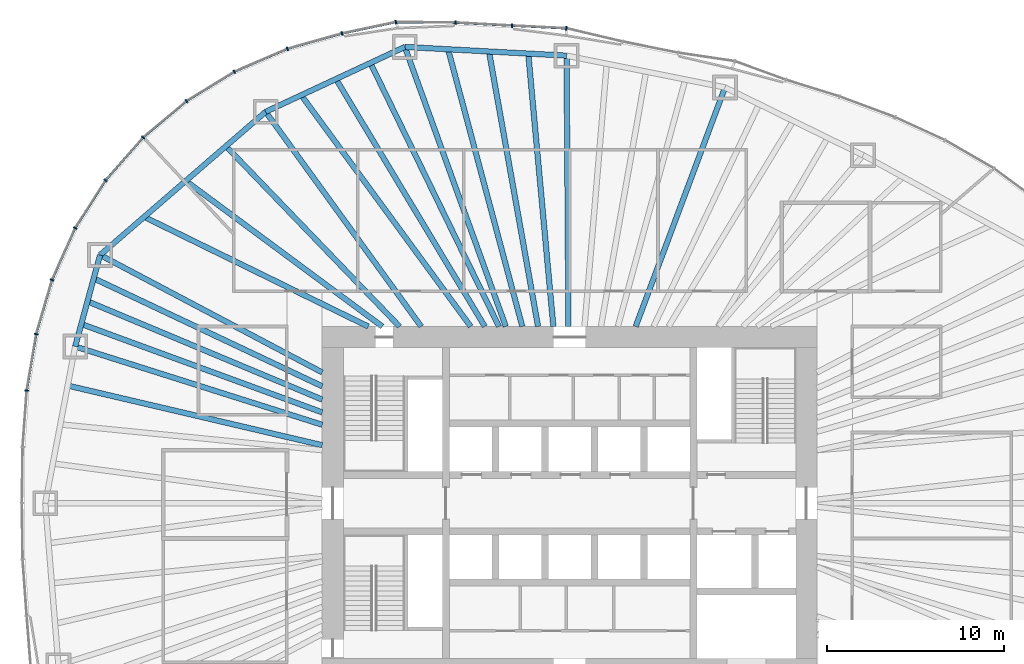
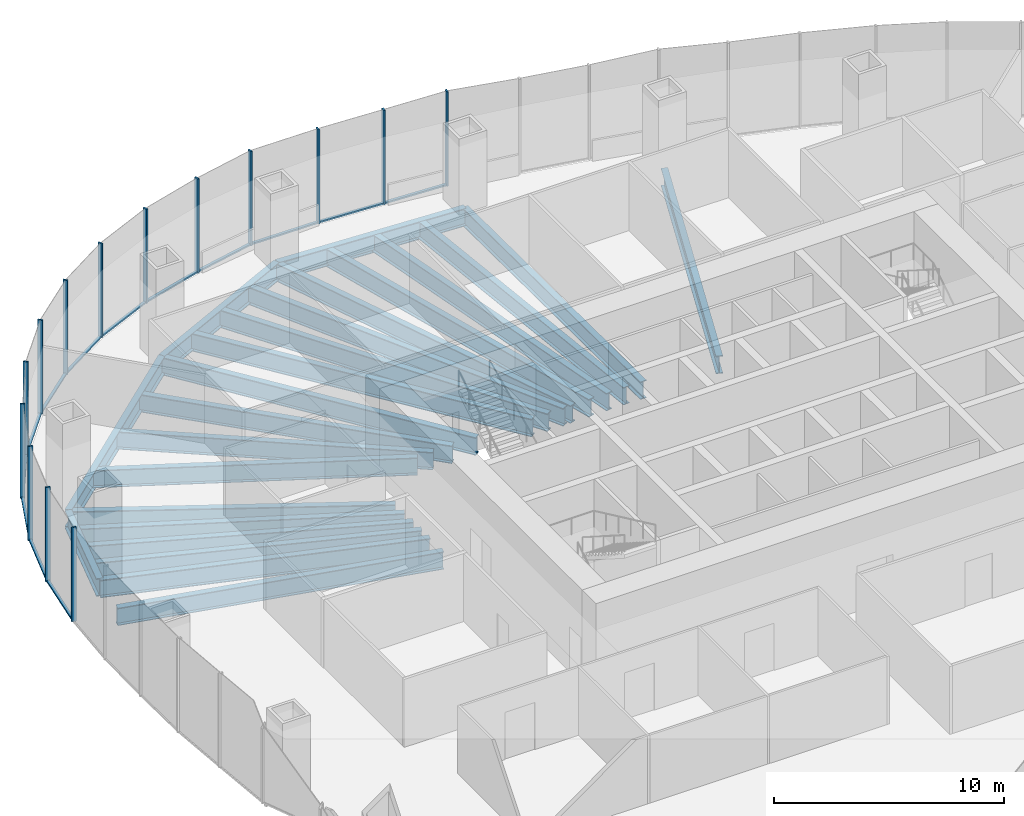
# One storey, part 5 of 18: 27 members, 23 beams, 5 elements without a shape of their own.
"""IFC4 building model written with IfcOpenShell, lengths in metres."""

from ifc_helpers import new_model, si_unit, direction, frame, origin, origin_2d, place, context, subcontext, project, spatial, rectangle, i_section, extrude, material, material_profile, profile_set, type_object, element, aggregate, save


model = new_model("IFC4")

# Units and contexts
model_context = context("Model", 3, precision=1e-05, world=origin(), true_north=direction((0.0, 1.0)))
body_context = subcontext(model_context, "Body", "Model", "MODEL_VIEW")
ifc_project = project(units=[si_unit("LENGTHUNIT", "METRE"), si_unit("AREAUNIT", "SQUARE_METRE"), si_unit("VOLUMEUNIT", "CUBIC_METRE"), si_unit("PLANEANGLEUNIT", "RADIAN"), si_unit("MASSUNIT", "GRAM", prefix="KILO")], contexts=[model_context])

# Site, building, storey
site_placement = place(None, origin())
site = spatial("IfcSite", under=ifc_project, at=site_placement, CompositionType="ELEMENT")
building_placement = place(site_placement, origin())
building = spatial("IfcBuilding", under=site, at=building_placement, Name="Ghaith Harvest Tower", CompositionType="ELEMENT")
storey_placement = place(building_placement, frame((0.0, 0.0, 95.0)))
storey = spatial("IfcBuildingStorey", under=building, at=storey_placement, Name="L19", CompositionType="ELEMENT", Elevation=95.0)

# Curtain wall, members
ifc_material_1 = material(Name="Black anodised aluminium and fritted glass", Category="aluminium")
curtain_wall_type = type_object("IfcCurtainWallType", Name="CW-F CURTAIN WALL", PredefinedType="NOTDEFINED", material=ifc_material_1)
curtain_wall_1_placement = place(storey_placement, origin())
curtain_wall_1 = element("IfcCurtainWall", 1, at=curtain_wall_1_placement, inside=storey, type_object=curtain_wall_type, Name="Curtain wall CW-F bay 06 L19", PredefinedType="NOTDEFINED")
ifc_material_2 = material(Name="Aluminium, black anodised", Category="aluminium")
ifc_material_profile_1 = material_profile(ifc_material_2, rectangle(XDim=0.080078125, YDim=0.219970703125, at=origin_2d()), Name="CW-F MULLION 80x220")
ifc_profile_set_1 = profile_set([ifc_material_profile_1], Name="Aluminium, black anodised")
member_type_1 = type_object("IfcMemberType", Name="CW-F MULLION 80x220", PredefinedType="MULLION", material=ifc_profile_set_1)
member_1_placement = place(storey_placement, frame((-0.183837890625, 26.877197265625, 0.0), z_axis=(0.0, 0.0, 1.0), x_axis=(-0.98971187143, 0.143074845976, 0.0)))
member_1 = element("IfcMember", 2, at=member_1_placement, type_object=member_type_1, Name="CW-F mullion 1 bay 06 L19", PredefinedType="MULLION", context=body_context, shape_type="SweptSolid", body=[
    extrude(rectangle(XDim=0.080078125, YDim=0.219970703125, at=origin_2d()), origin(), (0.0, 0.0, 1.0), 5.0),
])
member_2_placement = place(storey_placement, frame((-3.261962890625, 27.02978515625, 0.0), z_axis=(0.0, 0.0, 1.0), x_axis=(-0.998666923291, 0.051617597049, 0.0)))
member_2 = element("IfcMember", 3, at=member_2_placement, type_object=member_type_1, Name="CW-F mullion 2 bay 06 L19", PredefinedType="MULLION", context=body_context, shape_type="SweptSolid", body=[
    extrude(rectangle(XDim=0.080078125, YDim=0.219970703125, at=origin_2d()), origin(), (0.0, 0.0, 1.0), 5.0),
])
member_3_placement = place(storey_placement, frame((-6.465087890625, 27.20166015625, 0.0), z_axis=(0.0, 0.0, 1.0), x_axis=(-0.999527102163, 0.030750155138, 0.0)))
member_3 = element("IfcMember", 4, at=member_3_placement, type_object=member_type_1, Name="CW-F mullion 3 bay 06 L19", PredefinedType="MULLION", context=body_context, shape_type="SweptSolid", body=[
    extrude(rectangle(XDim=0.080078125, YDim=0.219970703125, at=origin_2d()), origin(), (0.0, 0.0, 1.0), 5.0),
])

curtain_wall_2_placement = place(storey_placement, origin())
curtain_wall_2 = element("IfcCurtainWall", 5, at=curtain_wall_2_placement, inside=storey, type_object=curtain_wall_type, Name="Curtain wall CW-F bay 07 L19", PredefinedType="NOTDEFINED")
member_4_placement = place(storey_placement, frame((-9.835693359375, 27.232177734375, 0.0), z_axis=(0.0, 0.0, 1.0), x_axis=(-0.995408459337, -0.095718332001, 0.0)))
member_4 = element("IfcMember", 6, at=member_4_placement, type_object=member_type_1, Name="CW-F mullion 1 bay 07 L19", PredefinedType="MULLION", context=body_context, shape_type="SweptSolid", body=[
    extrude(rectangle(XDim=0.080078125, YDim=0.219970703125, at=origin_2d()), origin(), (0.0, 0.0, 1.0), 5.0),
])
member_5_placement = place(storey_placement, frame((-12.880615234375, 26.5849609375, 0.0), z_axis=(0.0, 0.0, 1.0), x_axis=(-0.970824511782, -0.239791091, 0.0)))
member_5 = element("IfcMember", 7, at=member_5_placement, type_object=member_type_1, Name="CW-F mullion 2 bay 07 L19", PredefinedType="MULLION", context=body_context, shape_type="SweptSolid", body=[
    extrude(rectangle(XDim=0.080078125, YDim=0.219970703125, at=origin_2d()), origin(), (0.0, 0.0, 1.0), 5.0),
])
member_6_placement = place(storey_placement, frame((-15.97119140625, 25.716552734375, 0.0), z_axis=(0.0, 0.0, 1.0), x_axis=(-0.942293550527, -0.334787790451, 0.0)))
member_6 = element("IfcMember", 8, at=member_6_placement, type_object=member_type_1, Name="CW-F mullion 3 bay 07 L19", PredefinedType="MULLION", context=body_context, shape_type="SweptSolid", body=[
    extrude(rectangle(XDim=0.080078125, YDim=0.219970703125, at=origin_2d()), origin(), (0.0, 0.0, 1.0), 5.0),
])

curtain_wall_3_placement = place(storey_placement, origin())
curtain_wall_3 = element("IfcCurtainWall", 9, at=curtain_wall_3_placement, inside=storey, type_object=curtain_wall_type, Name="Curtain wall CW-F bay 08 L19", PredefinedType="NOTDEFINED")
member_7_placement = place(storey_placement, frame((-18.96728515625, 24.42236328125, 0.0), z_axis=(0.0, 0.0, 1.0), x_axis=(-0.887912253252, -0.460012859086, 0.0)))
member_7 = element("IfcMember", 10, at=member_7_placement, type_object=member_type_1, Name="CW-F mullion 1 bay 08 L19", PredefinedType="MULLION", context=body_context, shape_type="SweptSolid", body=[
    extrude(rectangle(XDim=0.080078125, YDim=0.219970703125, at=origin_2d()), origin(), (0.0, 0.0, 1.0), 5.0),
])
member_8_placement = place(storey_placement, frame((-21.681640625, 22.758056640625, 0.0), z_axis=(0.0, 0.0, 1.0), x_axis=(-0.811400750439, -0.584490224202, 0.0)))
member_8 = element("IfcMember", 11, at=member_8_placement, type_object=member_type_1, Name="CW-F mullion 2 bay 08 L19", PredefinedType="MULLION", context=body_context, shape_type="SweptSolid", body=[
    extrude(rectangle(XDim=0.080078125, YDim=0.219970703125, at=origin_2d()), origin(), (0.0, 0.0, 1.0), 5.0),
])
member_9_placement = place(storey_placement, frame((-24.139404296875, 20.696533203125, 0.0), z_axis=(0.0, 0.0, 1.0), x_axis=(-0.714663248213, -0.699468685256, 0.0)))
member_9 = element("IfcMember", 12, at=member_9_placement, type_object=member_type_1, Name="CW-F mullion 3 bay 08 L19", PredefinedType="MULLION", context=body_context, shape_type="SweptSolid", body=[
    extrude(rectangle(XDim=0.080078125, YDim=0.219970703125, at=origin_2d()), origin(), (0.0, 0.0, 1.0), 5.0),
])

curtain_wall_4_placement = place(storey_placement, origin())
curtain_wall_4 = element("IfcCurtainWall", 13, at=curtain_wall_4_placement, inside=storey, type_object=curtain_wall_type, Name="Curtain wall CW-F bay 09 L19", PredefinedType="NOTDEFINED")
member_10_placement = place(storey_placement, frame((-26.26318359375, 18.274169921875, 0.0), z_axis=(0.0, 0.0, 1.0), x_axis=(-0.599861600644, -0.800103780814, 0.0)))
member_10 = element("IfcMember", 14, at=member_10_placement, type_object=member_type_1, Name="CW-F mullion 1 bay 09 L19", PredefinedType="MULLION", context=body_context, shape_type="SweptSolid", body=[
    extrude(rectangle(XDim=0.080078125, YDim=0.219970703125, at=origin_2d()), origin(), (0.0, 0.0, 1.0), 5.0),
])
member_11_placement = place(storey_placement, frame((-27.986328125, 15.5654296875, 0.0), z_axis=(0.0, 0.0, 1.0), x_axis=(-0.473265082758, -0.880920065297, 0.0)))
member_11 = element("IfcMember", 15, at=member_11_placement, type_object=member_type_1, Name="CW-F mullion 2 bay 09 L19", PredefinedType="MULLION", context=body_context, shape_type="SweptSolid", body=[
    extrude(rectangle(XDim=0.080078125, YDim=0.219970703125, at=origin_2d()), origin(), (0.0, 0.0, 1.0), 5.0),
])
member_12_placement = place(storey_placement, frame((-29.29248046875, 12.63525390625, 0.0), z_axis=(0.0, 0.0, 1.0), x_axis=(-0.344618322502, -0.938742889079, 0.0)))
member_12 = element("IfcMember", 16, at=member_12_placement, type_object=member_type_1, Name="CW-F mullion 3 bay 09 L19", PredefinedType="MULLION", context=body_context, shape_type="SweptSolid", body=[
    extrude(rectangle(XDim=0.080078125, YDim=0.219970703125, at=origin_2d()), origin(), (0.0, 0.0, 1.0), 5.0),
])

curtain_wall_5_placement = place(storey_placement, origin())
curtain_wall_5 = element("IfcCurtainWall", 17, at=curtain_wall_5_placement, inside=storey, type_object=curtain_wall_type, Name="Curtain wall CW-F bay 10 L19", PredefinedType="NOTDEFINED")
member_13_placement = place(storey_placement, frame((-30.1884765625, 9.567138671875, 0.0), z_axis=(0.0, 0.0, 1.0), x_axis=(-0.222967363645, -0.97482590997, 0.0)))
member_13 = element("IfcMember", 18, at=member_13_placement, type_object=member_type_1, Name="CW-F mullion 1 bay 10 L19", PredefinedType="MULLION", context=body_context, shape_type="SweptSolid", body=[
    extrude(rectangle(XDim=0.080078125, YDim=0.219970703125, at=origin_2d()), origin(), (0.0, 0.0, 1.0), 5.0),
])
member_14_placement = place(storey_placement, frame((-30.724365234375, 6.37548828125, 0.0), z_axis=(0.0, 0.0, 1.0), x_axis=(-0.119352816132, -0.99285190501, 0.0)))
member_14 = element("IfcMember", 19, at=member_14_placement, type_object=member_type_1, Name="CW-F mullion 2 bay 10 L19", PredefinedType="MULLION", context=body_context, shape_type="SweptSolid", body=[
    extrude(rectangle(XDim=0.080078125, YDim=0.219970703125, at=origin_2d()), origin(), (0.0, 0.0, 1.0), 5.0),
])

# Member
ifc_material_3 = material(Name="Aluminium, black anodised", Category="aluminium")
ifc_material_profile_2 = material_profile(ifc_material_3, rectangle(XDim=0.139892578125, YDim=0.080078125, at=origin_2d()), Name="CW-F TRANSOM 140x80")
ifc_profile_set_2 = profile_set([ifc_material_profile_2], Name="Aluminium, black anodised")
member_type_2 = type_object("IfcMemberType", Name="CW-F TRANSOM 140x80", PredefinedType="USERDEFINED", material=ifc_profile_set_2)
member_15_placement = place(storey_placement, frame((-0.223876953125, 26.879150390625, 0.0400390625), z_axis=(-0.998772539109, 0.049531960612, 0.0), x_axis=(-0.049531960612, -0.998772539109, 0.0)))
member_15 = element("IfcMember", 20, at=member_15_placement, type_object=member_type_2, Name="CW-F transom 1 bay 06 L19", ObjectType="TRANSOM", PredefinedType="USERDEFINED", context=body_context, shape_type="SweptSolid", body=[
    extrude(rectangle(XDim=0.139892578125, YDim=0.080078125, at=origin_2d()), origin(), (0.0, 0.0, 1.0), 3.001708984375),
])

member_16_placement = place(storey_placement, frame((-3.3017578125, 27.031982421875, 0.0400390625), z_axis=(-0.99856142387, 0.053619798202, 0.0), x_axis=(-0.053619798202, -0.99856142387, 0.0)))
member_16 = element("IfcMember", 21, at=member_16_placement, type_object=member_type_2, Name="CW-F transom 2 bay 06 L19", ObjectType="TRANSOM", PredefinedType="USERDEFINED", context=body_context, shape_type="SweptSolid", body=[
    extrude(rectangle(XDim=0.139892578125, YDim=0.080078125, at=origin_2d()), origin(), (0.0, 0.0, 1.0), 3.1279296875),
])

member_17_placement = place(storey_placement, frame((-6.505126953125, 27.2021484375, 0.0400390625), z_axis=(-0.999959703847, 0.008977231352, 0.0), x_axis=(-0.008977231352, -0.999959703847, 0.0)))
member_17 = element("IfcMember", 22, at=member_17_placement, type_object=member_type_2, Name="CW-F transom 3 bay 06 L19", ObjectType="TRANSOM", PredefinedType="USERDEFINED", context=body_context, shape_type="SweptSolid", body=[
    extrude(rectangle(XDim=0.139892578125, YDim=0.080078125, at=origin_2d()), origin(), (0.0, 0.0, 1.0), 3.290771484375),
])

aggregate(curtain_wall_1, [member_1, member_15, member_2, member_16, member_3, member_17])

member_18_placement = place(storey_placement, frame((-9.874755859375, 27.2236328125, 0.0400390625), z_axis=(-0.978160283029, -0.207852016359, 0.0), x_axis=(0.207852016359, -0.978160283029, 0.0)))
member_18 = element("IfcMember", 23, at=member_18_placement, type_object=member_type_2, Name="CW-F transom 1 bay 07 L19", ObjectType="TRANSOM", PredefinedType="USERDEFINED", context=body_context, shape_type="SweptSolid", body=[
    extrude(rectangle(XDim=0.139892578125, YDim=0.080078125, at=origin_2d()), origin(), (0.0, 0.0, 1.0), 3.03271484375),
])

member_19_placement = place(storey_placement, frame((-12.9189453125, 26.573974609375, 0.0400390625), z_axis=(-0.962727128991, -0.270474536888, 0.0), x_axis=(0.270474536888, -0.962727128991, 0.0)))
member_19 = element("IfcMember", 24, at=member_19_placement, type_object=member_type_2, Name="CW-F transom 2 bay 07 L19", ObjectType="TRANSOM", PredefinedType="USERDEFINED", context=body_context, shape_type="SweptSolid", body=[
    extrude(rectangle(XDim=0.139892578125, YDim=0.080078125, at=origin_2d()), origin(), (0.0, 0.0, 1.0), 3.13037109375),
])

member_20_placement = place(storey_placement, frame((-16.008056640625, 25.70068359375, 0.0400390625), z_axis=(-0.9180027124, -0.396574104079, 0.0), x_axis=(0.396574104079, -0.9180027124, 0.0)))
member_20 = element("IfcMember", 25, at=member_20_placement, type_object=member_type_2, Name="CW-F transom 3 bay 07 L19", ObjectType="TRANSOM", PredefinedType="USERDEFINED", context=body_context, shape_type="SweptSolid", body=[
    extrude(rectangle(XDim=0.139892578125, YDim=0.080078125, at=origin_2d()), origin(), (0.0, 0.0, 1.0), 3.183349609375),
])

aggregate(curtain_wall_2, [member_4, member_18, member_5, member_19, member_6, member_20])

member_21_placement = place(storey_placement, frame((-19.001220703125, 24.4013671875, 0.0400390625), z_axis=(-0.852561687195, -0.522626606219, 0.0), x_axis=(0.522626606219, -0.852561687195, 0.0)))
member_21 = element("IfcMember", 26, at=member_21_placement, type_object=member_type_2, Name="CW-F transom 1 bay 08 L19", ObjectType="TRANSOM", PredefinedType="USERDEFINED", context=body_context, shape_type="SweptSolid", body=[
    extrude(rectangle(XDim=0.139892578125, YDim=0.080078125, at=origin_2d()), origin(), (0.0, 0.0, 1.0), 3.104248046875),
])

member_22_placement = place(storey_placement, frame((-21.71240234375, 22.732421875, 0.0400390625), z_axis=(-0.766144434184, -0.642668426149, 0.0), x_axis=(0.642668426149, -0.766144434184, 0.0)))
member_22 = element("IfcMember", 27, at=member_22_placement, type_object=member_type_2, Name="CW-F transom 2 bay 08 L19", ObjectType="TRANSOM", PredefinedType="USERDEFINED", context=body_context, shape_type="SweptSolid", body=[
    extrude(rectangle(XDim=0.139892578125, YDim=0.080078125, at=origin_2d()), origin(), (0.0, 0.0, 1.0), 3.1279296875),
])

member_23_placement = place(storey_placement, frame((-24.165771484375, 20.66650390625, 0.0400390625), z_axis=(-0.65923052982, -0.751940894322, 0.0), x_axis=(0.751940894322, -0.65923052982, 0.0)))
member_23 = element("IfcMember", 28, at=member_23_placement, type_object=member_type_2, Name="CW-F transom 3 bay 08 L19", ObjectType="TRANSOM", PredefinedType="USERDEFINED", context=body_context, shape_type="SweptSolid", body=[
    extrude(rectangle(XDim=0.139892578125, YDim=0.080078125, at=origin_2d()), origin(), (0.0, 0.0, 1.0), 3.1416015625),
])

aggregate(curtain_wall_3, [member_7, member_21, member_8, member_22, member_9, member_23])

member_24_placement = place(storey_placement, frame((-26.28466796875, 18.240234375, 0.0400390625), z_axis=(-0.536754366643, -0.843738555412, 0.0), x_axis=(0.843738555412, -0.536754366643, 0.0)))
member_24 = element("IfcMember", 29, at=member_24_placement, type_object=member_type_2, Name="CW-F transom 1 bay 09 L19", ObjectType="TRANSOM", PredefinedType="USERDEFINED", context=body_context, shape_type="SweptSolid", body=[
    extrude(rectangle(XDim=0.139892578125, YDim=0.080078125, at=origin_2d()), origin(), (0.0, 0.0, 1.0), 3.13037109375),
])

member_25_placement = place(storey_placement, frame((-28.002685546875, 15.52880859375, 0.0400390625), z_axis=(-0.407123143204, -0.913373278714, 0.0), x_axis=(0.913373278714, -0.407123143204, 0.0)))
member_25 = element("IfcMember", 30, at=member_25_placement, type_object=member_type_2, Name="CW-F transom 2 bay 09 L19", ObjectType="TRANSOM", PredefinedType="USERDEFINED", context=body_context, shape_type="SweptSolid", body=[
    extrude(rectangle(XDim=0.139892578125, YDim=0.080078125, at=origin_2d()), origin(), (0.0, 0.0, 1.0), 3.1279296875),
])

member_26_placement = place(storey_placement, frame((-29.3037109375, 12.596923828125, 0.0400390625), z_axis=(-0.280324903873, -0.959905176707, 0.0), x_axis=(0.959905176707, -0.280324903873, 0.0)))
member_26 = element("IfcMember", 31, at=member_26_placement, type_object=member_type_2, Name="CW-F transom 3 bay 09 L19", ObjectType="TRANSOM", PredefinedType="USERDEFINED", context=body_context, shape_type="SweptSolid", body=[
    extrude(rectangle(XDim=0.139892578125, YDim=0.080078125, at=origin_2d()), origin(), (0.0, 0.0, 1.0), 3.1162109375),
])

aggregate(curtain_wall_4, [member_10, member_24, member_11, member_25, member_12, member_26])

member_27_placement = place(storey_placement, frame((-30.195068359375, 9.52783203125, 0.0400390625), z_axis=(-0.165527763099, -0.986205130611, 0.0), x_axis=(0.986205130611, -0.165527763099, 0.0)))
member_27 = element("IfcMember", 32, at=member_27_placement, type_object=member_type_2, Name="CW-F transom 1 bay 10 L19", ObjectType="TRANSOM", PredefinedType="USERDEFINED", context=body_context, shape_type="SweptSolid", body=[
    extrude(rectangle(XDim=0.139892578125, YDim=0.080078125, at=origin_2d()), origin(), (0.0, 0.0, 1.0), 3.15625),
])

aggregate(curtain_wall_5, [member_13, member_27, member_14])

# Beams
ifc_material_4 = material(Name="Steel ASTM A992 Grade 50", Category="steel")
ifc_material_profile_3 = material_profile(ifc_material_4, i_section(OverallWidth=0.306884765625, OverallDepth=0.94189453125, WebThickness=0.022216796875, FlangeThickness=0.039794921875, at=origin_2d()), Name="W920X345")
ifc_profile_set_3 = profile_set([ifc_material_profile_3], Name="Steel ASTM A992 Grade 50")
beam_type_1 = type_object("IfcBeamType", Name="E920-345 W920X345", PredefinedType="SPANDREL", material=ifc_profile_set_3)
beam_1_placement = place(storey_placement, frame((-0.173095703125, 25.326904296875, -0.6708984375), z_axis=(-0.998545840532, 0.053909223293, 0.0), x_axis=(-0.053909223293, -0.998545840532, 0.0)))
element("IfcBeam", 33, at=beam_1_placement, inside=storey, type_object=beam_type_1, Name="Edge beam E06 L19", PredefinedType="SPANDREL", context=body_context, shape_type="SweptSolid", body=[
    extrude(i_section(OverallWidth=0.306884765625, OverallDepth=0.94189453125, WebThickness=0.022216796875, FlangeThickness=0.039794921875, at=origin_2d()), origin(), (0.0, 0.0, 1.0), 9.166259765625),
])
beam_2_placement = place(storey_placement, frame((-9.325927734375, 25.821044921875, -0.6708984375), z_axis=(-0.906373259523, -0.422477827137, 0.0), x_axis=(0.422477827137, -0.906373259523, 0.0)))
element("IfcBeam", 34, at=beam_2_placement, inside=storey, type_object=beam_type_1, Name="Edge beam E07 L19", PredefinedType="SPANDREL", context=body_context, shape_type="SweptSolid", body=[
    extrude(i_section(OverallWidth=0.306884765625, OverallDepth=0.94189453125, WebThickness=0.022216796875, FlangeThickness=0.039794921875, at=origin_2d()), origin(), (0.0, 0.0, 1.0), 8.689453125),
])
beam_3_placement = place(storey_placement, frame((-17.201904296875, 22.14990234375, -0.6708984375), z_axis=(-0.756392158274, -0.654118416574, 0.0), x_axis=(0.654118416574, -0.756392158274, 0.0)))
element("IfcBeam", 35, at=beam_3_placement, inside=storey, type_object=beam_type_1, Name="Edge beam E08 L19", PredefinedType="SPANDREL", context=body_context, shape_type="SweptSolid", body=[
    extrude(i_section(OverallWidth=0.306884765625, OverallDepth=0.94189453125, WebThickness=0.022216796875, FlangeThickness=0.039794921875, at=origin_2d()), origin(), (0.0, 0.0, 1.0), 12.38916015625),
])
beam_4_placement = place(storey_placement, frame((-26.572998046875, 14.0458984375, -0.6708984375), z_axis=(-0.262724740433, -0.964870825947, 0.0), x_axis=(0.964870825947, -0.262724740433, 0.0)))
element("IfcBeam", 36, at=beam_4_placement, inside=storey, type_object=beam_type_1, Name="Edge beam E09 L19", PredefinedType="SPANDREL", context=body_context, shape_type="SweptSolid", body=[
    extrude(i_section(OverallWidth=0.306884765625, OverallDepth=0.94189453125, WebThickness=0.022216796875, FlangeThickness=0.039794921875, at=origin_2d()), origin(), (0.0, 0.0, 1.0), 5.366455078125),
])
ifc_material_5 = material(Name="Steel ASTM A992 Grade 50", Category="steel")
ifc_material_profile_4 = material_profile(ifc_material_5, i_section(OverallWidth=0.306884765625, OverallDepth=0.94189453125, WebThickness=0.022216796875, FlangeThickness=0.039794921875, at=origin_2d()), Name="W920X345")
ifc_profile_set_4 = profile_set([ifc_material_profile_4], Name="Steel ASTM A992 Grade 50")
beam_type_2 = type_object("IfcBeamType", Name="G920-345 W920X345", PredefinedType="BEAM", material=ifc_profile_set_4)
beam_5_placement = place(storey_placement, frame((3.73828125, 10.0, -0.6708984375), z_axis=(0.350150596156, 0.936693418367, 0.0), x_axis=(-0.936693418367, 0.350150596156, 0.0)))
element("IfcBeam", 37, at=beam_5_placement, inside=storey, type_object=beam_type_2, Name="Radial girder G05 L19", PredefinedType="BEAM", context=body_context, shape_type="SweptSolid", body=[
    extrude(i_section(OverallWidth=0.306884765625, OverallDepth=0.94189453125, WebThickness=0.022216796875, FlangeThickness=0.039794921875, at=origin_2d()), origin(), (0.0, 0.0, 1.0), 14.44140625),
])
beam_6_placement = place(storey_placement, frame((-0.068359375, 10.0, -0.6708984375), z_axis=(-0.006833335732, 0.999976652489, 0.0), x_axis=(-0.999976652489, -0.006833335732, 0.0)))
element("IfcBeam", 38, at=beam_6_placement, inside=storey, type_object=beam_type_2, Name="Radial girder G06 L19", PredefinedType="BEAM", context=body_context, shape_type="SweptSolid", body=[
    extrude(i_section(OverallWidth=0.306884765625, OverallDepth=0.94189453125, WebThickness=0.022216796875, FlangeThickness=0.039794921875, at=origin_2d()), origin(), (0.0, 0.0, 1.0), 15.3271484375),
])
beam_7_placement = place(storey_placement, frame((-3.61181640625, 10.0, -0.6708984375), z_axis=(-0.339694751271, 0.940535738799, 0.0), x_axis=(-0.940535738799, -0.339694751271, 0.0)))
element("IfcBeam", 39, at=beam_7_placement, inside=storey, type_object=beam_type_2, Name="Radial girder G07 L19", PredefinedType="BEAM", context=body_context, shape_type="SweptSolid", body=[
    extrude(i_section(OverallWidth=0.306884765625, OverallDepth=0.94189453125, WebThickness=0.022216796875, FlangeThickness=0.039794921875, at=origin_2d()), origin(), (0.0, 0.0, 1.0), 16.8212890625),
])
beam_8_placement = place(storey_placement, frame((-8.39990234375, 10.0, -0.6708984375), z_axis=(-0.586675813287, 0.809821887889, 0.0), x_axis=(-0.809821887889, -0.586675813287, 0.0)))
element("IfcBeam", 40, at=beam_8_placement, inside=storey, type_object=beam_type_2, Name="Radial girder G08 L19", PredefinedType="BEAM", context=body_context, shape_type="SweptSolid", body=[
    extrude(i_section(OverallWidth=0.306884765625, OverallDepth=0.94189453125, WebThickness=0.022216796875, FlangeThickness=0.039794921875, at=origin_2d()), origin(), (0.0, 0.0, 1.0), 15.003173828125),
])
beam_9_placement = place(storey_placement, frame((-14.0, 7.39990234375, -0.6708984375), z_axis=(-0.88408713845, 0.467322085533, 0.0), x_axis=(-0.467322085533, -0.88408713845, 0.0)))
element("IfcBeam", 41, at=beam_9_placement, inside=storey, type_object=beam_type_2, Name="Radial girder G09 L19", PredefinedType="BEAM", context=body_context, shape_type="SweptSolid", body=[
    extrude(i_section(OverallWidth=0.306884765625, OverallDepth=0.94189453125, WebThickness=0.022216796875, FlangeThickness=0.039794921875, at=origin_2d()), origin(), (0.0, 0.0, 1.0), 14.221435546875),
])
beam_10_placement = place(storey_placement, frame((-14.0, 4.43701171875, -0.6708984375), z_axis=(-0.953283605796, 0.302076756671, 0.0), x_axis=(-0.302076756671, -0.953283605796, 0.0)))
element("IfcBeam", 42, at=beam_10_placement, inside=storey, type_object=beam_type_2, Name="Radial girder G10 L19", PredefinedType="BEAM", context=body_context, shape_type="SweptSolid", body=[
    extrude(i_section(OverallWidth=0.306884765625, OverallDepth=0.94189453125, WebThickness=0.022216796875, FlangeThickness=0.039794921875, at=origin_2d()), origin(), (0.0, 0.0, 1.0), 14.668212890625),
])
ifc_material_6 = material(Name="Steel ASTM A992 Grade 50", Category="steel")
ifc_material_profile_5 = material_profile(ifc_material_6, i_section(OverallWidth=0.31005859375, OverallDepth=0.927001953125, WebThickness=0.019287109375, FlangeThickness=0.031982421875, at=origin_2d()), Name="W920X289")
ifc_profile_set_5 = profile_set([ifc_material_profile_5], Name="Steel ASTM A992 Grade 50")
beam_type_3 = type_object("IfcBeamType", Name="J920-289 W920X289", PredefinedType="JOIST", material=ifc_profile_set_5)
beam_11_placement = place(storey_placement, frame((-0.92041015625, 10.0, -0.66357421875), z_axis=(-0.091647013776, 0.995791556936, 0.0), x_axis=(-0.995791556936, -0.091647013776, 0.0)))
element("IfcBeam", 43, at=beam_11_placement, inside=storey, type_object=beam_type_3, Name="Joist J06.1 L19", PredefinedType="JOIST", context=body_context, shape_type="SweptSolid", body=[
    extrude(i_section(OverallWidth=0.31005859375, OverallDepth=0.927001953125, WebThickness=0.019287109375, FlangeThickness=0.031982421875, at=origin_2d()), origin(), (0.0, 0.0, 1.0), 15.50927734375),
])
beam_12_placement = place(storey_placement, frame((-1.785888671875, 10.0, -0.66357421875), z_axis=(-0.175789035136, 0.984427861819, 0.0), x_axis=(-0.984427861819, -0.175789035136, 0.0)))
element("IfcBeam", 44, at=beam_12_placement, inside=storey, type_object=beam_type_3, Name="Joist J06.2 L19", PredefinedType="JOIST", context=body_context, shape_type="SweptSolid", body=[
    extrude(i_section(OverallWidth=0.31005859375, OverallDepth=0.927001953125, WebThickness=0.019287109375, FlangeThickness=0.031982421875, at=origin_2d()), origin(), (0.0, 0.0, 1.0), 15.810302734375),
])
beam_13_placement = place(storey_placement, frame((-10.60009765625, 10.0, -0.66357421875), z_axis=(-0.803663089107, 0.595084564752, 0.0), x_axis=(-0.595084564752, -0.803663089107, 0.0)))
element("IfcBeam", 45, at=beam_13_placement, inside=storey, type_object=beam_type_3, Name="Joist J08.2 L19", PredefinedType="JOIST", context=body_context, shape_type="SweptSolid", body=[
    extrude(i_section(OverallWidth=0.31005859375, OverallDepth=0.927001953125, WebThickness=0.019287109375, FlangeThickness=0.031982421875, at=origin_2d()), origin(), (0.0, 0.0, 1.0), 13.843505859375),
])
beam_14_placement = place(storey_placement, frame((-11.39990234375, 10.0, -0.66357421875), z_axis=(-0.898274832354, 0.439434096946, 0.0), x_axis=(-0.439434096946, -0.898274832354, 0.0)))
element("IfcBeam", 46, at=beam_14_placement, inside=storey, type_object=beam_type_3, Name="Joist J08.3 L19", PredefinedType="JOIST", context=body_context, shape_type="SweptSolid", body=[
    extrude(i_section(OverallWidth=0.31005859375, OverallDepth=0.927001953125, WebThickness=0.019287109375, FlangeThickness=0.031982421875, at=origin_2d()), origin(), (0.0, 0.0, 1.0), 14.114990234375),
])
beam_15_placement = place(storey_placement, frame((-14.0, 6.614990234375, -0.66357421875), z_axis=(-0.904153428261, 0.427207886354, 0.0), x_axis=(-0.427207886354, -0.904153428261, 0.0)))
element("IfcBeam", 47, at=beam_15_placement, inside=storey, type_object=beam_type_3, Name="Joist J09.1 L19", PredefinedType="JOIST", context=body_context, shape_type="SweptSolid", body=[
    extrude(i_section(OverallWidth=0.31005859375, OverallDepth=0.927001953125, WebThickness=0.019287109375, FlangeThickness=0.031982421875, at=origin_2d()), origin(), (0.0, 0.0, 1.0), 14.303466796875),
])
beam_16_placement = place(storey_placement, frame((-14.0, 5.862548828125, -0.66357421875), z_axis=(-0.922385943167, 0.38626955853, 0.0), x_axis=(-0.38626955853, -0.922385943167, 0.0)))
element("IfcBeam", 48, at=beam_16_placement, inside=storey, type_object=beam_type_3, Name="Joist J09.2 L19", PredefinedType="JOIST", context=body_context, shape_type="SweptSolid", body=[
    extrude(i_section(OverallWidth=0.31005859375, OverallDepth=0.927001953125, WebThickness=0.019287109375, FlangeThickness=0.031982421875, at=origin_2d()), origin(), (0.0, 0.0, 1.0), 14.404296875),
])
beam_17_placement = place(storey_placement, frame((-14.0, 5.137939453125, -0.66357421875), z_axis=(-0.93877541132, 0.344529718748, 0.0), x_axis=(-0.344529718748, -0.93877541132, 0.0)))
element("IfcBeam", 49, at=beam_17_placement, inside=storey, type_object=beam_type_3, Name="Joist J09.3 L19", PredefinedType="JOIST", context=body_context, shape_type="SweptSolid", body=[
    extrude(i_section(OverallWidth=0.31005859375, OverallDepth=0.927001953125, WebThickness=0.019287109375, FlangeThickness=0.031982421875, at=origin_2d()), origin(), (0.0, 0.0, 1.0), 14.525390625),
])
beam_18_placement = place(storey_placement, frame((-14.0, 3.280517578125, -0.66357421875), z_axis=(-0.973623012228, 0.228162727151, 0.0), x_axis=(-0.228162727151, -0.973623012228, 0.0)))
element("IfcBeam", 50, at=beam_18_placement, inside=storey, type_object=beam_type_3, Name="Joist J10.1 L19", PredefinedType="JOIST", context=body_context, shape_type="SweptSolid", body=[
    extrude(i_section(OverallWidth=0.31005859375, OverallDepth=0.927001953125, WebThickness=0.019287109375, FlangeThickness=0.031982421875, at=origin_2d()), origin(), (0.0, 0.0, 1.0), 14.795166015625),
])
ifc_material_7 = material(Name="Steel ASTM A992 Grade 50", Category="steel")
ifc_material_profile_6 = material_profile(ifc_material_7, i_section(OverallWidth=0.306884765625, OverallDepth=0.94189453125, WebThickness=0.022216796875, FlangeThickness=0.039794921875, at=origin_2d()), Name="W920X345")
ifc_profile_set_6 = profile_set([ifc_material_profile_6], Name="Steel ASTM A992 Grade 50")
beam_type_4 = type_object("IfcBeamType", Name="J920-345 W920X345", PredefinedType="JOIST", material=ifc_profile_set_6)
beam_19_placement = place(storey_placement, frame((-2.677978515625, 10.0, -0.6708984375), z_axis=(-0.258679482451, 0.965963211183, 0.0), x_axis=(-0.965963211183, -0.258679482451, 0.0)))
element("IfcBeam", 51, at=beam_19_placement, inside=storey, type_object=beam_type_4, Name="Joist J06.3 L19", PredefinedType="JOIST", context=body_context, shape_type="SweptSolid", body=[
    extrude(i_section(OverallWidth=0.306884765625, OverallDepth=0.94189453125, WebThickness=0.022216796875, FlangeThickness=0.039794921875, at=origin_2d()), origin(), (0.0, 0.0, 1.0), 16.24169921875),
])
beam_20_placement = place(storey_placement, frame((-4.0, 10.0, -0.6708984375), z_axis=(-0.438505380705, 0.898728563635, 0.0), x_axis=(-0.898728563635, -0.438505380705, 0.0)))
element("IfcBeam", 52, at=beam_20_placement, inside=storey, type_object=beam_type_4, Name="Joist J07.1 L19", PredefinedType="JOIST", context=body_context, shape_type="SweptSolid", body=[
    extrude(i_section(OverallWidth=0.306884765625, OverallDepth=0.94189453125, WebThickness=0.022216796875, FlangeThickness=0.039794921875, at=origin_2d()), origin(), (0.0, 0.0, 1.0), 16.592529296875),
])
beam_21_placement = place(storey_placement, frame((-4.800048828125, 10.0, -0.6708984375), z_axis=(-0.515358894704, 0.85697445099, 0.0), x_axis=(-0.85697445099, -0.515358894704, 0.0)))
element("IfcBeam", 53, at=beam_21_placement, inside=storey, type_object=beam_type_4, Name="Joist J07.2 L19", PredefinedType="JOIST", context=body_context, shape_type="SweptSolid", body=[
    extrude(i_section(OverallWidth=0.306884765625, OverallDepth=0.94189453125, WebThickness=0.022216796875, FlangeThickness=0.039794921875, at=origin_2d()), origin(), (0.0, 0.0, 1.0), 16.34228515625),
])
beam_22_placement = place(storey_placement, frame((-5.60009765625, 10.0, -0.6708984375), z_axis=(-0.591008736068, 0.806665155992, 0.0), x_axis=(-0.806665155992, -0.591008736068, 0.0)))
element("IfcBeam", 54, at=beam_22_placement, inside=storey, type_object=beam_type_4, Name="Joist J07.3 L19", PredefinedType="JOIST", context=body_context, shape_type="SweptSolid", body=[
    extrude(i_section(OverallWidth=0.306884765625, OverallDepth=0.94189453125, WebThickness=0.022216796875, FlangeThickness=0.039794921875, at=origin_2d()), origin(), (0.0, 0.0, 1.0), 16.22509765625),
])
beam_23_placement = place(storey_placement, frame((-9.626708984375, 10.0, -0.6708984375), z_axis=(-0.693535693616, 0.720422266231, 0.0), x_axis=(-0.720422266231, -0.693535693616, 0.0)))
element("IfcBeam", 55, at=beam_23_placement, inside=storey, type_object=beam_type_4, Name="Joist J08.1 L19", PredefinedType="JOIST", context=body_context, shape_type="SweptSolid", body=[
    extrude(i_section(OverallWidth=0.306884765625, OverallDepth=0.94189453125, WebThickness=0.022216796875, FlangeThickness=0.039794921875, at=origin_2d()), origin(), (0.0, 0.0, 1.0), 14.16552734375),
])

save(model, "model.ifc")
